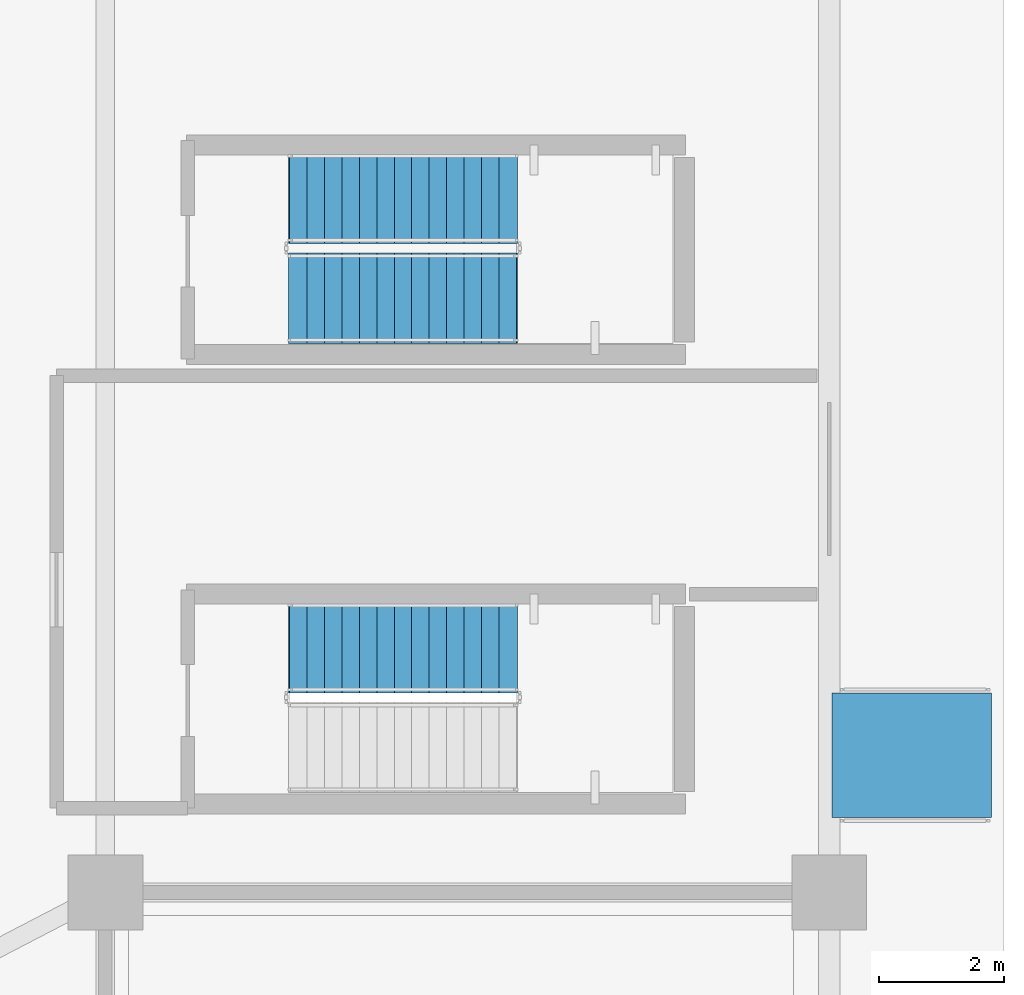
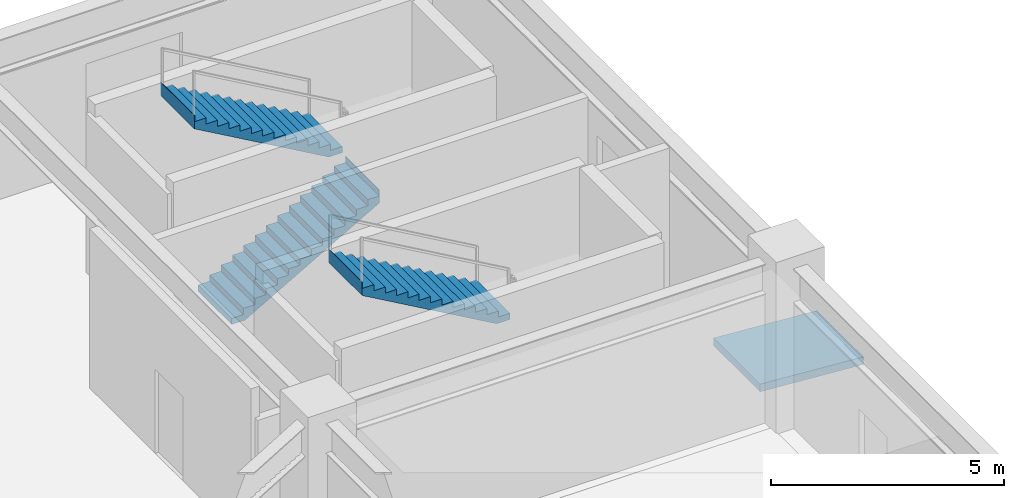
# One storey, part 8 of 18: 3 stair flights, 1 ramp flight, 3 elements without a shape of their own.
"""IFC4 building model written with IfcOpenShell, lengths in metres."""

from ifc_helpers import new_model, si_unit, direction, frame, origin, place, context, subcontext, project, spatial, polyline, outline, extrude, material, layer, layer_set, type_object, element, aggregate, save


model = new_model("IFC4")

# Units and contexts
model_context = context("Model", 3, precision=1e-05, world=origin(), true_north=direction((0.0, 1.0)))
body_context = subcontext(model_context, "Body", "Model", "MODEL_VIEW")
ifc_project = project(units=[si_unit("LENGTHUNIT", "METRE"), si_unit("AREAUNIT", "SQUARE_METRE"), si_unit("VOLUMEUNIT", "CUBIC_METRE"), si_unit("PLANEANGLEUNIT", "RADIAN"), si_unit("MASSUNIT", "GRAM", prefix="KILO")], contexts=[model_context])

# Site, building, storey
site_placement = place(None, origin())
site = spatial("IfcSite", under=ifc_project, at=site_placement, CompositionType="ELEMENT")
building_placement = place(site_placement, origin())
building = spatial("IfcBuilding", under=site, at=building_placement, Name="Yunling Apex Tower", CompositionType="ELEMENT")
storey_placement = place(building_placement, origin())
storey = spatial("IfcBuildingStorey", under=building, at=storey_placement, Name="L01", CompositionType="ELEMENT", Elevation=0.0)

# Stair, stair flights
ifc_material = material(Name="Concrete C40", Category="concrete")
stair_type_1 = type_object("IfcStairType", Name="ST-GDN-1", PredefinedType="STRAIGHT_RUN_STAIR", material=ifc_material)
stair_1_placement = place(storey_placement, origin())
stair_1 = element("IfcStair", 1, at=stair_1_placement, inside=storey, type_object=stair_type_1, Name="L01 East Plaza-to-Garden External Stair ST-G2", PredefinedType="HALF_TURN_STAIR")
stair_flight_type_1 = type_object("IfcStairFlightType", Name="SFL-GDN-1", PredefinedType="STRAIGHT", material=ifc_material)
stair_flight_1_placement = place(storey_placement, frame((25.35009765625, 23.52490234375, 0.0), z_axis=(0.0, 0.0, 1.0), x_axis=(1.0, 0.0, 0.0)))
stair_flight_1 = element("IfcStairFlight", 2, at=stair_flight_1_placement, type_object=stair_flight_type_1, Name="ST-G2 flight 1", NumberOfRisers=14, NumberOfTreads=13, PredefinedType="STRAIGHT", RiserHeight=0.160714286, TreadLength=0.28, context=body_context, shape_type="SweptSolid", body=[
    extrude(outline(polyline([(-0.011962890625, 0.0), (-0.011962890625, 0.16064453125), (0.0, 0.16064453125), (0.280029296875, 0.16064453125), (0.280029296875, 0.321533203125), (0.56005859375, 0.321533203125), (0.56005859375, 0.482177734375), (0.840087890625, 0.482177734375), (0.840087890625, 0.642822265625), (1.1201171875, 0.642822265625), (1.1201171875, 0.803466796875), (1.39990234375, 0.803466796875), (1.39990234375, 0.96435546875), (1.679931640625, 0.96435546875), (1.679931640625, 1.125), (1.9599609375, 1.125), (1.9599609375, 1.28564453125), (2.239990234375, 1.28564453125), (2.239990234375, 1.446533203125), (2.52001953125, 1.446533203125), (2.52001953125, 1.607177734375), (2.800048828125, 1.607177734375), (2.800048828125, 1.767822265625), (3.080078125, 1.767822265625), (3.080078125, 1.928466796875), (3.360107421875, 1.928466796875), (3.360107421875, 2.08935546875), (3.639892578125, 2.08935546875), (3.639892578125, 2.25), (3.652099609375, 2.25), (3.652099609375, 1.90478515625), (0.3212890625, 0.0), (-0.011962890625, 0.0)])), frame((0.0, 0.72509765625, 0.0), z_axis=(0.0, -1.0, 0.0), x_axis=(1.0, 0.0, 0.0)), (0.0, 0.0, 1.0), 1.449951171875),
])
stair_flight_2_placement = place(storey_placement, frame((28.989990234375, 25.125, 2.25), z_axis=(0.0, 0.0, 1.0), x_axis=(-1.0, 0.0, 0.0)))
stair_flight_2 = element("IfcStairFlight", 3, at=stair_flight_2_placement, type_object=stair_flight_type_1, Name="ST-G2 flight 2", NumberOfRisers=14, NumberOfTreads=13, PredefinedType="STRAIGHT", RiserHeight=0.160714286, TreadLength=0.28, context=body_context, shape_type="SweptSolid", body=[
    extrude(outline(polyline([(-0.011962890625, 0.0), (-0.011962890625, 0.16064453125), (0.0, 0.16064453125), (0.280029296875, 0.16064453125), (0.280029296875, 0.321533203125), (0.56005859375, 0.321533203125), (0.56005859375, 0.482177734375), (0.840087890625, 0.482177734375), (0.840087890625, 0.642822265625), (1.1201171875, 0.642822265625), (1.1201171875, 0.803466796875), (1.39990234375, 0.803466796875), (1.39990234375, 0.96435546875), (1.679931640625, 0.96435546875), (1.679931640625, 1.125), (1.9599609375, 1.125), (1.9599609375, 1.28564453125), (2.239990234375, 1.28564453125), (2.239990234375, 1.446533203125), (2.52001953125, 1.446533203125), (2.52001953125, 1.607177734375), (2.800048828125, 1.607177734375), (2.800048828125, 1.767822265625), (3.080078125, 1.767822265625), (3.080078125, 1.928466796875), (3.360107421875, 1.928466796875), (3.360107421875, 2.08935546875), (3.639892578125, 2.08935546875), (3.639892578125, 2.25), (3.652099609375, 2.25), (3.652099609375, 1.90478515625), (0.3212890625, 0.0), (-0.011962890625, 0.0)])), frame((0.0, 0.72509765625, 0.0), z_axis=(0.0, -1.0, 0.0), x_axis=(1.0, 0.0, 0.0)), (0.0, 0.0, 1.0), 1.449951171875),
])
aggregate(stair_1, [stair_flight_1, stair_flight_2])

# Stair, stair flight
stair_type_2 = type_object("IfcStairType", Name="ST-POD-1", PredefinedType="HALF_TURN_STAIR", material=ifc_material)
stair_2_placement = place(storey_placement, origin())
stair_2 = element("IfcStair", 4, at=stair_2_placement, inside=storey, type_object=stair_type_2, Name="L01 East Podium Smokeproof Stair ST-P2", PredefinedType="HALF_TURN_STAIR")
stair_flight_type_2 = type_object("IfcStairFlightType", Name="SFL-POD-1", PredefinedType="STRAIGHT", material=ifc_material)
stair_flight_3_placement = place(storey_placement, frame((28.989990234375, 17.925048828125, 2.25), z_axis=(0.0, 0.0, 1.0), x_axis=(-1.0, 0.0, 0.0)))
stair_flight_3 = element("IfcStairFlight", 5, at=stair_flight_3_placement, type_object=stair_flight_type_2, Name="ST-P2 flight 2", NumberOfRisers=14, NumberOfTreads=13, PredefinedType="STRAIGHT", RiserHeight=0.160714286, TreadLength=0.28, context=body_context, shape_type="SweptSolid", body=[
    extrude(outline(polyline([(-0.011962890625, 0.0), (-0.011962890625, 0.16064453125), (0.0, 0.16064453125), (0.280029296875, 0.16064453125), (0.280029296875, 0.321533203125), (0.56005859375, 0.321533203125), (0.56005859375, 0.482177734375), (0.840087890625, 0.482177734375), (0.840087890625, 0.642822265625), (1.1201171875, 0.642822265625), (1.1201171875, 0.803466796875), (1.39990234375, 0.803466796875), (1.39990234375, 0.96435546875), (1.679931640625, 0.96435546875), (1.679931640625, 1.125), (1.9599609375, 1.125), (1.9599609375, 1.28564453125), (2.239990234375, 1.28564453125), (2.239990234375, 1.446533203125), (2.52001953125, 1.446533203125), (2.52001953125, 1.607177734375), (2.800048828125, 1.607177734375), (2.800048828125, 1.767822265625), (3.080078125, 1.767822265625), (3.080078125, 1.928466796875), (3.360107421875, 1.928466796875), (3.360107421875, 2.08935546875), (3.639892578125, 2.08935546875), (3.639892578125, 2.25), (3.652099609375, 2.25), (3.652099609375, 1.90478515625), (0.3212890625, 0.0), (-0.011962890625, 0.0)])), frame((0.0, 0.72509765625, 0.0), z_axis=(0.0, -1.0, 0.0), x_axis=(1.0, 0.0, 0.0)), (0.0, 0.0, 1.0), 1.449951171875),
])
aggregate(stair_2, [stair_flight_3])

# Ramp, ramp flight
ramp_type = type_object("IfcRampType", Name="RM-ACC-1", PredefinedType="STRAIGHT_RUN_RAMP", material=ifc_material)
ramp_placement = place(storey_placement, origin())
ramp = element("IfcRamp", 6, at=ramp_placement, inside=storey, type_object=ramp_type, Name="RMP-ACC-E", PredefinedType="STRAIGHT_RUN_RAMP")
ifc_layer = layer(ifc_material, 0.199951171875)
ifc_layer_set = layer_set([ifc_layer], Name="Concrete C40")
ramp_flight_type = type_object("IfcRampFlightType", Name="RFL-ACC-1", PredefinedType="STRAIGHT", material=ifc_layer_set)
ramp_flight_placement = place(storey_placement, frame((36.60009765625, 15.199951171875, -0.179931640625), z_axis=(0.070111231689, 0.0, 0.997539179777), x_axis=(-0.997539179777, 0.0, 0.070111231689)))
ramp_flight = element("IfcRampFlight", 7, at=ramp_flight_placement, type_object=ramp_flight_type, Name="RMP-ACC-E/F1", PredefinedType="STRAIGHT", context=body_context, shape_type="SweptSolid", body=[
    extrude(outline(polyline([(0.0, 0.0), (2.5663739787356077, 0.0), (2.5663739787356077, -2.0000000000000004), (0.0, -2.0000000000000004), (0.0, 0.0)])), origin(), (-0.070111231689, 0.0, -0.997539179777), 0.200439453125),
])
aggregate(ramp, [ramp_flight])

save(model, "model.ifc")
